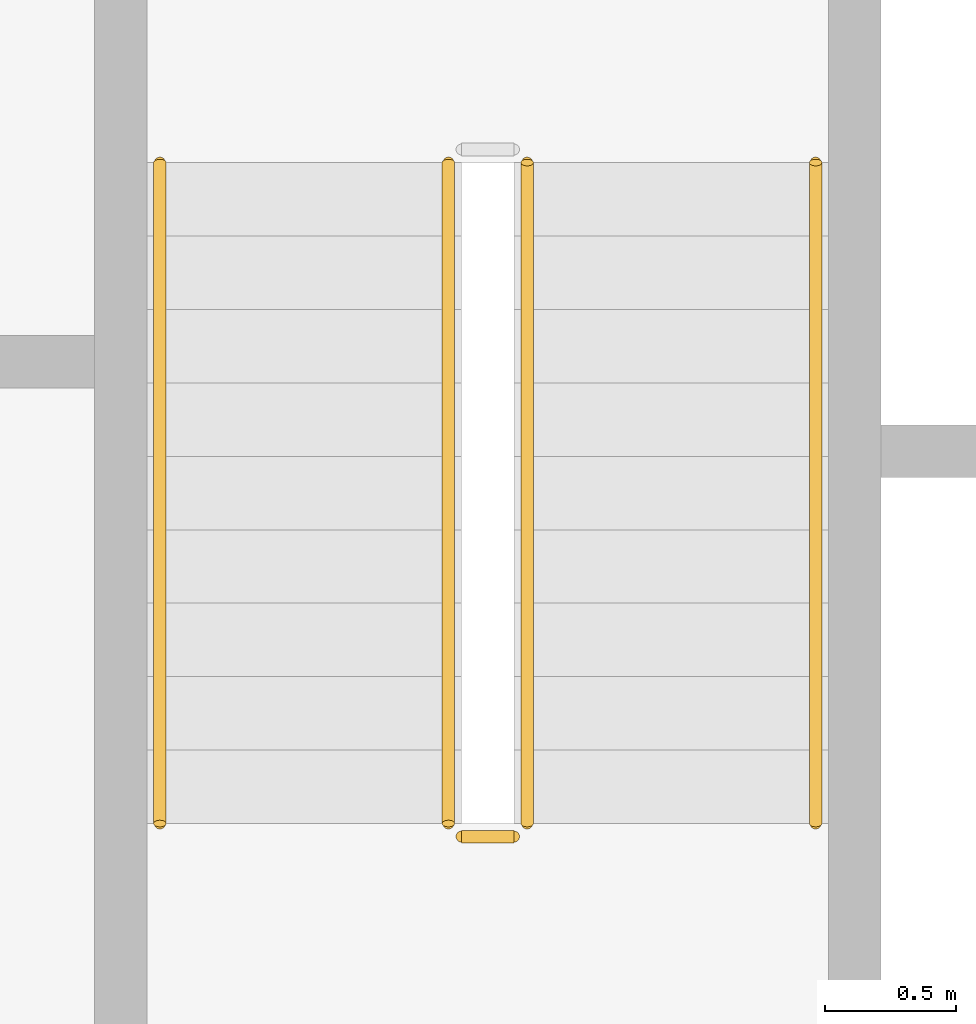
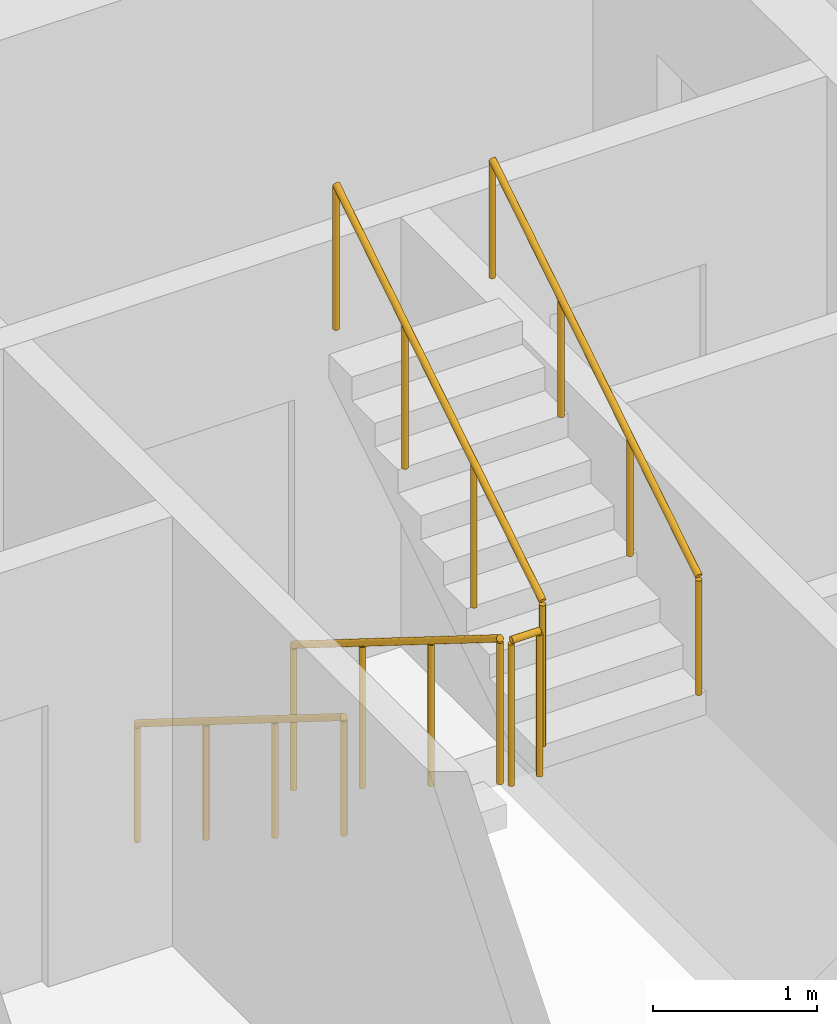
# One storey, part 15 of 22: 5 railings.
"""IFC4 building model written with IfcOpenShell, lengths in metres."""

from ifc_helpers import new_model, si_unit, direction, frame, origin, origin_2d, place, context, subcontext, project, spatial, circle, extrude, material, type_object, element, save


model = new_model("IFC4")

# Units and contexts
model_context = context("Model", 3, precision=1e-05, world=origin(), true_north=direction((0.0, 1.0)))
body_context = subcontext(model_context, "Body", "Model", "MODEL_VIEW")
ifc_project = project(units=[si_unit("LENGTHUNIT", "METRE"), si_unit("AREAUNIT", "SQUARE_METRE"), si_unit("VOLUMEUNIT", "CUBIC_METRE"), si_unit("PLANEANGLEUNIT", "RADIAN"), si_unit("MASSUNIT", "GRAM", prefix="KILO")], contexts=[model_context])

# Site, building, storey
site_placement = place(None, origin())
site = spatial("IfcSite", under=ifc_project, at=site_placement, CompositionType="ELEMENT")
building_placement = place(site_placement, origin())
building = spatial("IfcBuilding", under=site, at=building_placement, Name="Kiln Ring Residences", CompositionType="ELEMENT")
storey_placement = place(building_placement, frame((0.0, 0.0, 139.60009765625)))
storey = spatial("IfcBuildingStorey", under=building, at=storey_placement, Name="L35", CompositionType="ELEMENT", Elevation=139.60009765625)

# Railings
ifc_material_1 = material(Name="Stainless steel", Category="steel")
railing_type_1 = type_object("IfcRailingType", Name="CORE-STAIR-GUARD", PredefinedType="GUARDRAIL", material=ifc_material_1)
railing_1_placement = place(storey_placement, frame((-22.25, 8.39990234375, 0.1748046875)))
element("IfcRailing", 1, at=railing_1_placement, inside=storey, type_object=railing_type_1, Name="L35 W-STN stair guard 1", PredefinedType="GUARDRAIL", context=body_context, shape_type="SweptSolid", body=[
    extrude(circle(Radius=0.02392578125, at=origin_2d()), frame((0.0, 0.0, 1.076171875), z_axis=(0.0, -0.847970611238, 0.530043245855), x_axis=(1.0, 0.0, 0.0)), (0.0, 0.0, 1.0), 2.971923828125),
    extrude(circle(Radius=0.02099609375, at=origin_2d()), origin(), (0.0, 0.0, 1.0), 1.052001953125),
    extrude(circle(Radius=0.02099609375, at=origin_2d()), frame((0.0, -0.840087890625, 0.525146484375)), (0.0, 0.0, 1.0), 1.052001953125),
    extrude(circle(Radius=0.02099609375, at=origin_2d()), frame((0.0, -1.679931640625, 1.050048828125)), (0.0, 0.0, 1.0), 1.052001953125),
    extrude(circle(Radius=0.02099609375, at=origin_2d()), frame((0.0, -2.52001953125, 1.5751953125)), (0.0, 0.0, 1.0), 1.052001953125),
])
railing_2_placement = place(storey_placement, frame((-22.199951171875, 5.830078125, 1.75)))
element("IfcRailing", 2, at=railing_2_placement, inside=storey, type_object=railing_type_1, Name="L35 W-STN stair guard 2", PredefinedType="GUARDRAIL", context=body_context, shape_type="SweptSolid", body=[
    extrude(circle(Radius=0.02392578125, at=origin_2d()), frame((0.0, 0.0, 1.076171875), z_axis=(1.0, 0.0, 0.0), x_axis=(0.0, 1.0, 0.0)), (0.0, 0.0, 1.0), 0.199951171875),
    extrude(circle(Radius=0.02099609375, at=origin_2d()), origin(), (0.0, 0.0, 1.0), 1.052001953125),
    extrude(circle(Radius=0.02099609375, at=origin_2d()), frame((0.199951171875, 0.0, 0.0)), (0.0, 0.0, 1.0), 1.052001953125),
])
railing_3_placement = place(storey_placement, frame((-21.949951171875, 5.8798828125, 1.9248046875)))
element("IfcRailing", 3, at=railing_3_placement, inside=storey, type_object=railing_type_1, Name="L35 W-STN stair guard 3", PredefinedType="GUARDRAIL", context=body_context, shape_type="SweptSolid", body=[
    extrude(circle(Radius=0.02392578125, at=origin_2d()), frame((0.0, 0.0, 1.076171875), z_axis=(0.0, 0.847970611238, 0.530043245855), x_axis=(-1.0, 0.0, 0.0)), (0.0, 0.0, 1.0), 2.971923828125),
    extrude(circle(Radius=0.02099609375, at=origin_2d()), origin(), (0.0, 0.0, 1.0), 1.052001953125),
    extrude(circle(Radius=0.02099609375, at=origin_2d()), frame((0.0, 0.840087890625, 0.525146484375)), (0.0, 0.0, 1.0), 1.052001953125),
    extrude(circle(Radius=0.02099609375, at=origin_2d()), frame((0.0, 1.679931640625, 1.050048828125)), (0.0, 0.0, 1.0), 1.052001953125),
    extrude(circle(Radius=0.02099609375, at=origin_2d()), frame((0.0, 2.52001953125, 1.5751953125)), (0.0, 0.0, 1.0), 1.052001953125),
])
ifc_material_2 = material(Name="Stainless steel", Category="steel")
railing_type_2 = type_object("IfcRailingType", Name="CORE-STAIR-HANDRAIL", PredefinedType="HANDRAIL", material=ifc_material_2)
railing_4_placement = place(storey_placement, frame((-23.35009765625, 8.39990234375, 0.1748046875)))
element("IfcRailing", 4, at=railing_4_placement, inside=storey, type_object=railing_type_2, Name="L35 W-STN stair handrail 1", PredefinedType="HANDRAIL", context=body_context, shape_type="SweptSolid", body=[
    extrude(circle(Radius=0.02392578125, at=origin_2d()), frame((0.0, 0.0, 0.8759765625), z_axis=(0.0, -0.847970611238, 0.530043245855), x_axis=(1.0, 0.0, 0.0)), (0.0, 0.0, 1.0), 2.971923828125),
    extrude(circle(Radius=0.02099609375, at=origin_2d()), origin(), (0.0, 0.0, 1.0), 0.851806640625),
    extrude(circle(Radius=0.02099609375, at=origin_2d()), frame((0.0, -0.840087890625, 0.525146484375)), (0.0, 0.0, 1.0), 0.851806640625),
    extrude(circle(Radius=0.02099609375, at=origin_2d()), frame((0.0, -1.679931640625, 1.050048828125)), (0.0, 0.0, 1.0), 0.851806640625),
    extrude(circle(Radius=0.02099609375, at=origin_2d()), frame((0.0, -2.52001953125, 1.5751953125)), (0.0, 0.0, 1.0), 0.851806640625),
])
railing_5_placement = place(storey_placement, frame((-20.85009765625, 5.8798828125, 1.9248046875)))
element("IfcRailing", 5, at=railing_5_placement, inside=storey, type_object=railing_type_2, Name="L35 W-STN stair handrail 2", PredefinedType="HANDRAIL", context=body_context, shape_type="SweptSolid", body=[
    extrude(circle(Radius=0.02392578125, at=origin_2d()), frame((0.0, 0.0, 0.8759765625), z_axis=(0.0, 0.847970611238, 0.530043245855), x_axis=(-1.0, 0.0, 0.0)), (0.0, 0.0, 1.0), 2.971923828125),
    extrude(circle(Radius=0.02099609375, at=origin_2d()), origin(), (0.0, 0.0, 1.0), 0.851806640625),
    extrude(circle(Radius=0.02099609375, at=origin_2d()), frame((0.0, 0.840087890625, 0.525146484375)), (0.0, 0.0, 1.0), 0.851806640625),
    extrude(circle(Radius=0.02099609375, at=origin_2d()), frame((0.0, 1.679931640625, 1.050048828125)), (0.0, 0.0, 1.0), 0.851806640625),
    extrude(circle(Radius=0.02099609375, at=origin_2d()), frame((0.0, 2.52001953125, 1.5751953125)), (0.0, 0.0, 1.0), 0.851806640625),
])

save(model, "model.ifc")
